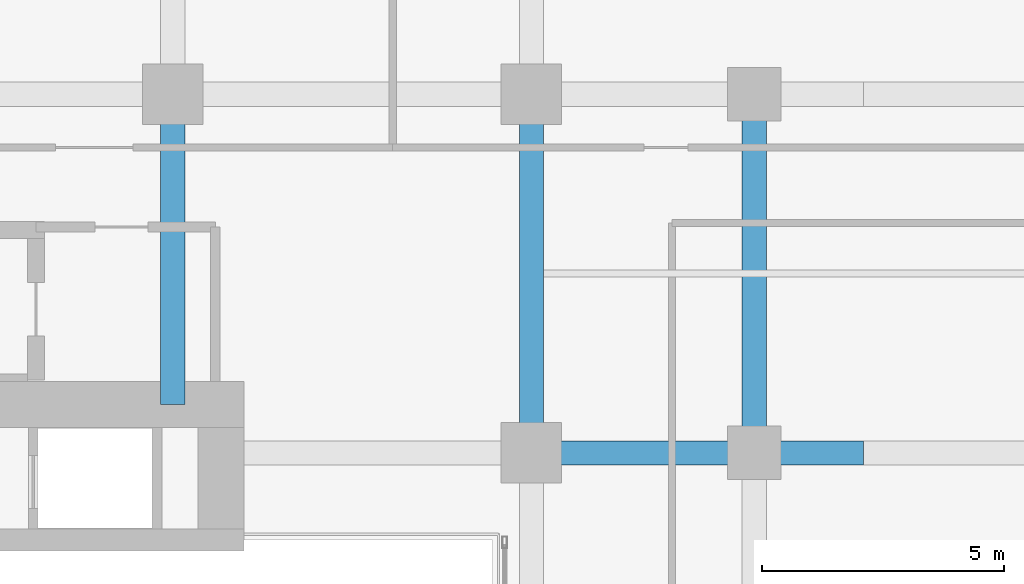
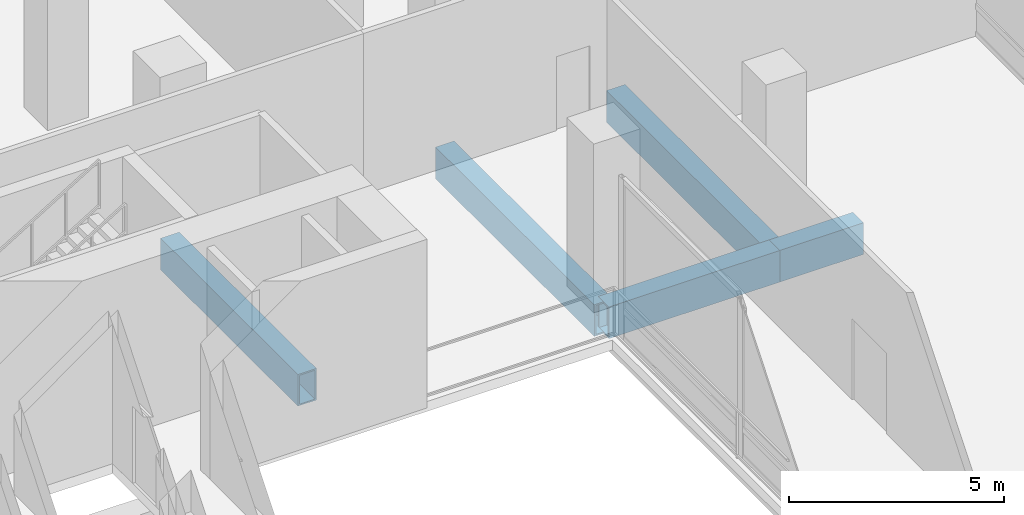
# One storey, part 11 of 28: 5 beams.
"""IFC4 building model written with IfcOpenShell, lengths in metres."""

from ifc_helpers import new_model, si_unit, direction, frame, origin, origin_2d, place, context, subcontext, project, spatial, hollow_rectangle, extrude, material, material_profile, profile_set, type_object, element, save


model = new_model("IFC4")

# Units and contexts
model_context = context("Model", 3, precision=1e-05, world=origin(), true_north=direction((0.0, 1.0)))
body_context = subcontext(model_context, "Body", "Model", "MODEL_VIEW")
ifc_project = project(units=[si_unit("LENGTHUNIT", "METRE"), si_unit("AREAUNIT", "SQUARE_METRE"), si_unit("VOLUMEUNIT", "CUBIC_METRE"), si_unit("PLANEANGLEUNIT", "RADIAN"), si_unit("MASSUNIT", "GRAM", prefix="KILO")], contexts=[model_context])

# Site, building, storey
site_placement = place(None, origin())
site = spatial("IfcSite", under=ifc_project, at=site_placement, CompositionType="ELEMENT")
building_placement = place(site_placement, origin())
building = spatial("IfcBuilding", under=site, at=building_placement, Name="Khorvyn Point Tower", CompositionType="ELEMENT")
storey_placement = place(building_placement, frame((0.0, 0.0, 108.60009765625)))
storey = spatial("IfcBuildingStorey", under=building, at=storey_placement, Name="L27", CompositionType="ELEMENT", Elevation=108.60009765625)

# Beams
ifc_material = material(Name="Steel S450", Category="steel")
ifc_material_profile = material_profile(ifc_material, hollow_rectangle(XDim=0.5, YDim=0.89990234375, WallThickness=0.0400390625, at=origin_2d()))
ifc_profile_set = profile_set([ifc_material_profile], Name="Steel S450 BOX900x500x40")
beam_type = type_object("IfcBeamType", Name="Steel S450 Beam BOX900x500x40", PredefinedType="BEAM", material=ifc_profile_set)
beam_1_placement = place(storey_placement, frame((14.800048828125, 7.39990234375, -0.72998046875), z_axis=(1.0, 0.0, 0.0), x_axis=(0.0, 1.0, 0.0)))
element("IfcBeam", 1, at=beam_1_placement, inside=storey, type_object=beam_type, Name="Beam", PredefinedType="BEAM", context=body_context, shape_type="SweptSolid", body=[
    extrude(hollow_rectangle(XDim=0.5, YDim=0.89990234375, WallThickness=0.0400390625, at=origin_2d()), origin(), (0.0, 0.0, 1.0), 4.599853515625),
])
beam_2_placement = place(storey_placement, frame((19.39990234375, 7.39990234375, -0.72998046875), z_axis=(1.0, 0.0, 0.0), x_axis=(0.0, 1.0, 0.0)))
element("IfcBeam", 2, at=beam_2_placement, inside=storey, type_object=beam_type, Name="Beam", PredefinedType="BEAM", context=body_context, shape_type="SweptSolid", body=[
    extrude(hollow_rectangle(XDim=0.5, YDim=0.89990234375, WallThickness=0.0400390625, at=origin_2d()), origin(), (0.0, 0.0, 1.0), 2.25),
])
beam_3_placement = place(storey_placement, frame((14.800048828125, 7.39990234375, -0.72998046875), z_axis=(0.0, 1.0, 0.0), x_axis=(-1.0, 0.0, 0.0)))
element("IfcBeam", 3, at=beam_3_placement, inside=storey, type_object=beam_type, Name="L27 Radial Transfer Girder", PredefinedType="BEAM", context=body_context, shape_type="SweptSolid", body=[
    extrude(hollow_rectangle(XDim=0.5, YDim=0.89990234375, WallThickness=0.0400390625, at=origin_2d()), origin(), (0.0, 0.0, 1.0), 7.400146484375),
])
beam_4_placement = place(storey_placement, frame((7.39990234375, 8.39990234375, -0.72998046875), z_axis=(0.0, 1.0, 0.0), x_axis=(-1.0, 0.0, 0.0)))
element("IfcBeam", 4, at=beam_4_placement, inside=storey, type_object=beam_type, Name="Beam", PredefinedType="BEAM", context=body_context, shape_type="SweptSolid", body=[
    extrude(hollow_rectangle(XDim=0.5, YDim=0.89990234375, WallThickness=0.0400390625, at=origin_2d()), origin(), (0.0, 0.0, 1.0), 6.400146484375),
])
beam_5_placement = place(storey_placement, frame((19.39990234375, 7.39990234375, -0.72998046875), z_axis=(0.0, 1.0, 0.0), x_axis=(-1.0, 0.0, 0.0)))
element("IfcBeam", 5, at=beam_5_placement, inside=storey, type_object=beam_type, Name="Beam", PredefinedType="BEAM", context=body_context, shape_type="SweptSolid", body=[
    extrude(hollow_rectangle(XDim=0.5, YDim=0.89990234375, WallThickness=0.0400390625, at=origin_2d()), origin(), (0.0, 0.0, 1.0), 7.400146484375),
])

save(model, "model.ifc")
